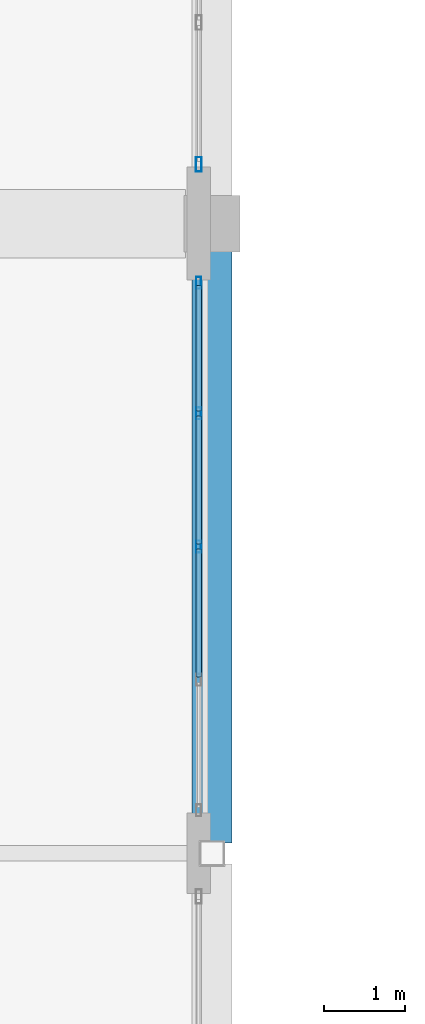
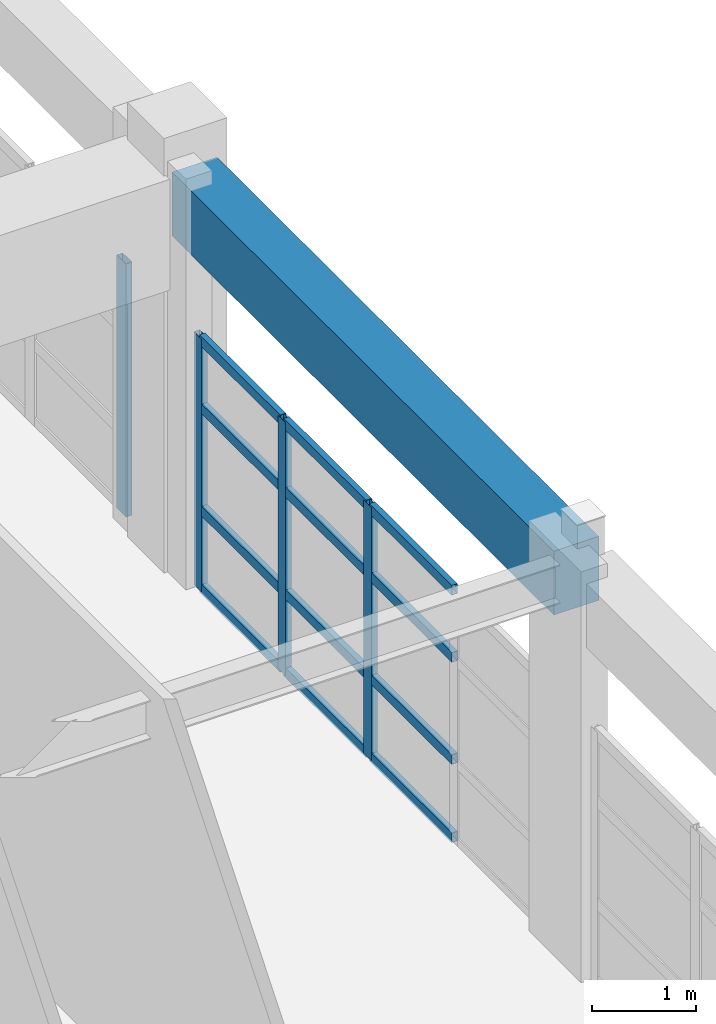
# One storey, part 14 of 103: 16 members, 1 beam, 2 elements without a shape of their own.
"""IFC4 building model written with IfcOpenShell, lengths in metres."""

from ifc_helpers import new_model, si_unit, direction, frame, origin, origin_2d, place, context, subcontext, project, spatial, rectangle, hollow_rectangle, extrude, material, layer, layer_set, material_profile, profile_set, type_object, element, aggregate, save


model = new_model("IFC4")

# Units and contexts
model_context = context("Model", 3, precision=1e-05, world=origin(), true_north=direction((0.0, 1.0)))
body_context = subcontext(model_context, "Body", "Model", "MODEL_VIEW")
ifc_project = project(units=[si_unit("LENGTHUNIT", "METRE"), si_unit("AREAUNIT", "SQUARE_METRE"), si_unit("VOLUMEUNIT", "CUBIC_METRE"), si_unit("PLANEANGLEUNIT", "RADIAN"), si_unit("MASSUNIT", "GRAM", prefix="KILO")], contexts=[model_context])

# Site, building, storey
site_placement = place(None, origin())
site = spatial("IfcSite", under=ifc_project, at=site_placement, CompositionType="ELEMENT")
building_placement = place(site_placement, origin())
building = spatial("IfcBuilding", under=site, at=building_placement, Name="Quendrovan Civic Courthouse", CompositionType="ELEMENT")
storey_placement = place(building_placement, frame((0.0, 0.0, 15.300048828125)))
storey = spatial("IfcBuildingStorey", under=building, at=storey_placement, Name="L04", CompositionType="ELEMENT", Elevation=15.300048828125)

# Beam
ifc_material_1 = material(Name="Concrete C40/50", Category="concrete")
ifc_material_profile_1 = material_profile(ifc_material_1, rectangle(XDim=0.5, YDim=0.75, at=origin_2d()), Name="RC-BM-500x750")
ifc_profile_set_1 = profile_set([ifc_material_profile_1], Name="Concrete C40/50")
beam_type = type_object("IfcBeamType", Name="BM-RC750", PredefinedType="SPANDREL", material=ifc_profile_set_1)
beam_placement = place(storey_placement, frame((16.800048828125, 23.530029296875, 4.284912109375), z_axis=(0.0, 1.0, 0.0), x_axis=(-1.0, 0.0, 0.0)))
element("IfcBeam", 1, at=beam_placement, inside=storey, type_object=beam_type, Name="L04 Girder Y0954", PredefinedType="SPANDREL", context=body_context, shape_type="SweptSolid", body=[
    extrude(rectangle(XDim=0.5, YDim=0.75, at=origin_2d()), origin(), (0.0, 0.0, 1.0), 7.340087890625),
])

# Curtain wall, member
ifc_material_2 = material(Name="Bronze anodised aluminium and low-E glass", Category="aluminium")
ifc_layer_1 = layer(ifc_material_2, 0.179931640625, Name="Bronze anodised aluminium and low-E glass")
ifc_layer_set_1 = layer_set([ifc_layer_1], Name="Bronze anodised aluminium and low-E glass")
curtain_wall_type_1 = type_object("IfcCurtainWallType", Name="CW-U72x30", PredefinedType="USERDEFINED", material=ifc_layer_set_1)
curtain_wall_1_placement = place(storey_placement, origin())
curtain_wall_1 = element("IfcCurtainWall", 2, at=curtain_wall_1_placement, inside=storey, type_object=curtain_wall_type_1, Name="L04 Unitised Hurricane Curtain Wall CW-152", ObjectType="UNITISED CURTAIN WALL", PredefinedType="USERDEFINED")
ifc_material_3 = material(Name="Bronze anodised aluminium", Category="aluminium")
ifc_material_profile_2 = material_profile(ifc_material_3, hollow_rectangle(XDim=0.070068359375, YDim=0.179931640625, WallThickness=0.00390625, at=origin_2d()), Name="CW-MULL-70x180")
ifc_profile_set_2 = profile_set([ifc_material_profile_2], Name="Bronze anodised aluminium")
member_type_1 = type_object("IfcMemberType", Name="CW-MULL-A", PredefinedType="MULLION", material=ifc_profile_set_2)
member_1_placement = place(storey_placement, frame((16.635009765625, 31.93505859375, 0.0), z_axis=(0.0, 0.0, 1.0), x_axis=(1.0, 0.0, 0.0)))
member_1 = element("IfcMember", 3, at=member_1_placement, type_object=member_type_1, Name="CW-152 mullion 5", PredefinedType="MULLION", context=body_context, shape_type="SweptSolid", body=[
    extrude(hollow_rectangle(XDim=0.070068359375, YDim=0.179931640625, WallThickness=0.00390625, at=origin_2d()), origin(), (0.0, 0.0, 1.0), 2.969970703125),
])
aggregate(curtain_wall_1, [member_1])

# Curtain wall, members
ifc_layer_2 = layer(ifc_material_2, 0.179931640625, Name="Bronze anodised aluminium and low-E glass")
ifc_layer_set_2 = layer_set([ifc_layer_2], Name="Bronze anodised aluminium and low-E glass")
curtain_wall_type_2 = type_object("IfcCurtainWallType", Name="CW-U66x30", PredefinedType="USERDEFINED", material=ifc_layer_set_2)
curtain_wall_2_placement = place(storey_placement, origin())
curtain_wall_2 = element("IfcCurtainWall", 4, at=curtain_wall_2_placement, inside=storey, type_object=curtain_wall_type_2, Name="L04 Unitised Hurricane Curtain Wall CW-153", ObjectType="UNITISED CURTAIN WALL", PredefinedType="USERDEFINED")
ifc_material_profile_3 = material_profile(ifc_material_3, hollow_rectangle(XDim=0.06494140625, YDim=0.14990234375, WallThickness=0.00390625, at=origin_2d()), Name="CW-MULL-65x150")
ifc_profile_set_3 = profile_set([ifc_material_profile_3], Name="Bronze anodised aluminium")
member_type_2 = type_object("IfcMemberType", Name="CW-MULL-B", PredefinedType="MULLION", material=ifc_profile_set_3)
member_2_placement = place(storey_placement, frame((16.635009765625, 30.467529296875, 0.0), z_axis=(0.0, 0.0, 1.0), x_axis=(1.0, 0.0, 0.0)))
member_2 = element("IfcMember", 5, at=member_2_placement, type_object=member_type_2, Name="CW-153 mullion 1", PredefinedType="MULLION", context=body_context, shape_type="SweptSolid", body=[
    extrude(hollow_rectangle(XDim=0.06494140625, YDim=0.14990234375, WallThickness=0.00390625, at=origin_2d()), origin(), (0.0, 0.0, 1.0), 2.969970703125),
])
member_3_placement = place(storey_placement, frame((16.635009765625, 28.85009765625, 0.0), z_axis=(0.0, 0.0, 1.0), x_axis=(1.0, 0.0, 0.0)))
member_3 = element("IfcMember", 6, at=member_3_placement, type_object=member_type_2, Name="CW-153 mullion 2", PredefinedType="MULLION", context=body_context, shape_type="SweptSolid", body=[
    extrude(hollow_rectangle(XDim=0.06494140625, YDim=0.14990234375, WallThickness=0.00390625, at=origin_2d()), origin(), (0.0, 0.0, 1.0), 2.969970703125),
])
member_4_placement = place(storey_placement, frame((16.635009765625, 27.199951171875, 0.0), z_axis=(0.0, 0.0, 1.0), x_axis=(1.0, 0.0, 0.0)))
member_4 = element("IfcMember", 7, at=member_4_placement, type_object=member_type_2, Name="CW-153 mullion 3", PredefinedType="MULLION", context=body_context, shape_type="SweptSolid", body=[
    extrude(hollow_rectangle(XDim=0.06494140625, YDim=0.14990234375, WallThickness=0.00390625, at=origin_2d()), origin(), (0.0, 0.0, 1.0), 2.969970703125),
])
ifc_material_profile_4 = material_profile(ifc_material_3, hollow_rectangle(XDim=0.06494140625, YDim=0.114990234375, WallThickness=0.00390625, at=origin_2d()), Name="CW-TRAN-65x115")
ifc_profile_set_4 = profile_set([ifc_material_profile_4], Name="Bronze anodised aluminium")
member_type_3 = type_object("IfcMemberType", Name="CW-TRAN-B", PredefinedType="USERDEFINED", material=ifc_profile_set_4)
member_5_placement = place(storey_placement, frame((16.635009765625, 30.43505859375, 0.032470703125), z_axis=(0.0, -1.0, 0.0), x_axis=(1.0, 0.0, 0.0)))
member_5 = element("IfcMember", 8, at=member_5_placement, type_object=member_type_3, Name="CW-153 transom 1.1", ObjectType="TRANSOM", PredefinedType="USERDEFINED", context=body_context, shape_type="SweptSolid", body=[
    extrude(hollow_rectangle(XDim=0.06494140625, YDim=0.114990234375, WallThickness=0.00390625, at=origin_2d()), origin(), (0.0, 0.0, 1.0), 1.552490234375),
])
member_6_placement = place(storey_placement, frame((16.635009765625, 30.43505859375, 0.949951171875), z_axis=(0.0, -1.0, 0.0), x_axis=(1.0, 0.0, 0.0)))
member_6 = element("IfcMember", 9, at=member_6_placement, type_object=member_type_3, Name="CW-153 transom 1.2", ObjectType="TRANSOM", PredefinedType="USERDEFINED", context=body_context, shape_type="SweptSolid", body=[
    extrude(hollow_rectangle(XDim=0.06494140625, YDim=0.114990234375, WallThickness=0.00390625, at=origin_2d()), origin(), (0.0, 0.0, 1.0), 1.552490234375),
])
member_7_placement = place(storey_placement, frame((16.635009765625, 30.43505859375, 2.14990234375), z_axis=(0.0, -1.0, 0.0), x_axis=(1.0, 0.0, 0.0)))
member_7 = element("IfcMember", 10, at=member_7_placement, type_object=member_type_3, Name="CW-153 transom 1.3", ObjectType="TRANSOM", PredefinedType="USERDEFINED", context=body_context, shape_type="SweptSolid", body=[
    extrude(hollow_rectangle(XDim=0.06494140625, YDim=0.114990234375, WallThickness=0.00390625, at=origin_2d()), origin(), (0.0, 0.0, 1.0), 1.552490234375),
])
member_8_placement = place(storey_placement, frame((16.635009765625, 30.43505859375, 2.9375), z_axis=(0.0, -1.0, 0.0), x_axis=(1.0, 0.0, 0.0)))
member_8 = element("IfcMember", 11, at=member_8_placement, type_object=member_type_3, Name="CW-153 transom 1.4", ObjectType="TRANSOM", PredefinedType="USERDEFINED", context=body_context, shape_type="SweptSolid", body=[
    extrude(hollow_rectangle(XDim=0.06494140625, YDim=0.114990234375, WallThickness=0.00390625, at=origin_2d()), origin(), (0.0, 0.0, 1.0), 1.552490234375),
])
member_9_placement = place(storey_placement, frame((16.635009765625, 28.8173828125, 0.032470703125), z_axis=(0.0, -1.0, 0.0), x_axis=(1.0, 0.0, 0.0)))
member_9 = element("IfcMember", 12, at=member_9_placement, type_object=member_type_3, Name="CW-153 transom 2.1", ObjectType="TRANSOM", PredefinedType="USERDEFINED", context=body_context, shape_type="SweptSolid", body=[
    extrude(hollow_rectangle(XDim=0.06494140625, YDim=0.114990234375, WallThickness=0.00390625, at=origin_2d()), origin(), (0.0, 0.0, 1.0), 1.5849609375),
])
member_10_placement = place(storey_placement, frame((16.635009765625, 28.8173828125, 0.949951171875), z_axis=(0.0, -1.0, 0.0), x_axis=(1.0, 0.0, 0.0)))
member_10 = element("IfcMember", 13, at=member_10_placement, type_object=member_type_3, Name="CW-153 transom 2.2", ObjectType="TRANSOM", PredefinedType="USERDEFINED", context=body_context, shape_type="SweptSolid", body=[
    extrude(hollow_rectangle(XDim=0.06494140625, YDim=0.114990234375, WallThickness=0.00390625, at=origin_2d()), origin(), (0.0, 0.0, 1.0), 1.5849609375),
])
member_11_placement = place(storey_placement, frame((16.635009765625, 28.8173828125, 2.14990234375), z_axis=(0.0, -1.0, 0.0), x_axis=(1.0, 0.0, 0.0)))
member_11 = element("IfcMember", 14, at=member_11_placement, type_object=member_type_3, Name="CW-153 transom 2.3", ObjectType="TRANSOM", PredefinedType="USERDEFINED", context=body_context, shape_type="SweptSolid", body=[
    extrude(hollow_rectangle(XDim=0.06494140625, YDim=0.114990234375, WallThickness=0.00390625, at=origin_2d()), origin(), (0.0, 0.0, 1.0), 1.5849609375),
])
member_12_placement = place(storey_placement, frame((16.635009765625, 28.8173828125, 2.9375), z_axis=(0.0, -1.0, 0.0), x_axis=(1.0, 0.0, 0.0)))
member_12 = element("IfcMember", 15, at=member_12_placement, type_object=member_type_3, Name="CW-153 transom 2.4", ObjectType="TRANSOM", PredefinedType="USERDEFINED", context=body_context, shape_type="SweptSolid", body=[
    extrude(hollow_rectangle(XDim=0.06494140625, YDim=0.114990234375, WallThickness=0.00390625, at=origin_2d()), origin(), (0.0, 0.0, 1.0), 1.5849609375),
])
member_13_placement = place(storey_placement, frame((16.635009765625, 27.16748046875, 0.032470703125), z_axis=(0.0, -1.0, 0.0), x_axis=(1.0, 0.0, 0.0)))
member_13 = element("IfcMember", 16, at=member_13_placement, type_object=member_type_3, Name="CW-153 transom 3.1", ObjectType="TRANSOM", PredefinedType="USERDEFINED", context=body_context, shape_type="SweptSolid", body=[
    extrude(hollow_rectangle(XDim=0.06494140625, YDim=0.114990234375, WallThickness=0.00390625, at=origin_2d()), origin(), (0.0, 0.0, 1.0), 1.5849609375),
])
member_14_placement = place(storey_placement, frame((16.635009765625, 27.16748046875, 0.949951171875), z_axis=(0.0, -1.0, 0.0), x_axis=(1.0, 0.0, 0.0)))
member_14 = element("IfcMember", 17, at=member_14_placement, type_object=member_type_3, Name="CW-153 transom 3.2", ObjectType="TRANSOM", PredefinedType="USERDEFINED", context=body_context, shape_type="SweptSolid", body=[
    extrude(hollow_rectangle(XDim=0.06494140625, YDim=0.114990234375, WallThickness=0.00390625, at=origin_2d()), origin(), (0.0, 0.0, 1.0), 1.5849609375),
])
member_15_placement = place(storey_placement, frame((16.635009765625, 27.16748046875, 2.14990234375), z_axis=(0.0, -1.0, 0.0), x_axis=(1.0, 0.0, 0.0)))
member_15 = element("IfcMember", 18, at=member_15_placement, type_object=member_type_3, Name="CW-153 transom 3.3", ObjectType="TRANSOM", PredefinedType="USERDEFINED", context=body_context, shape_type="SweptSolid", body=[
    extrude(hollow_rectangle(XDim=0.06494140625, YDim=0.114990234375, WallThickness=0.00390625, at=origin_2d()), origin(), (0.0, 0.0, 1.0), 1.5849609375),
])
member_16_placement = place(storey_placement, frame((16.635009765625, 27.16748046875, 2.9375), z_axis=(0.0, -1.0, 0.0), x_axis=(1.0, 0.0, 0.0)))
member_16 = element("IfcMember", 19, at=member_16_placement, type_object=member_type_3, Name="CW-153 transom 3.4", ObjectType="TRANSOM", PredefinedType="USERDEFINED", context=body_context, shape_type="SweptSolid", body=[
    extrude(hollow_rectangle(XDim=0.06494140625, YDim=0.114990234375, WallThickness=0.00390625, at=origin_2d()), origin(), (0.0, 0.0, 1.0), 1.5849609375),
])
aggregate(curtain_wall_2, [member_2, member_3, member_4, member_5, member_6, member_7, member_8, member_9, member_10, member_11, member_12, member_13, member_14, member_15, member_16])

save(model, "model.ifc")
